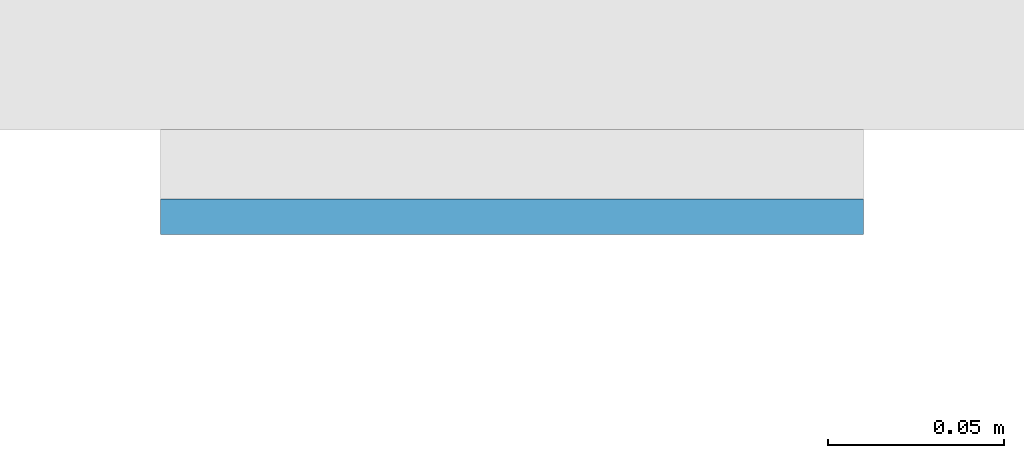
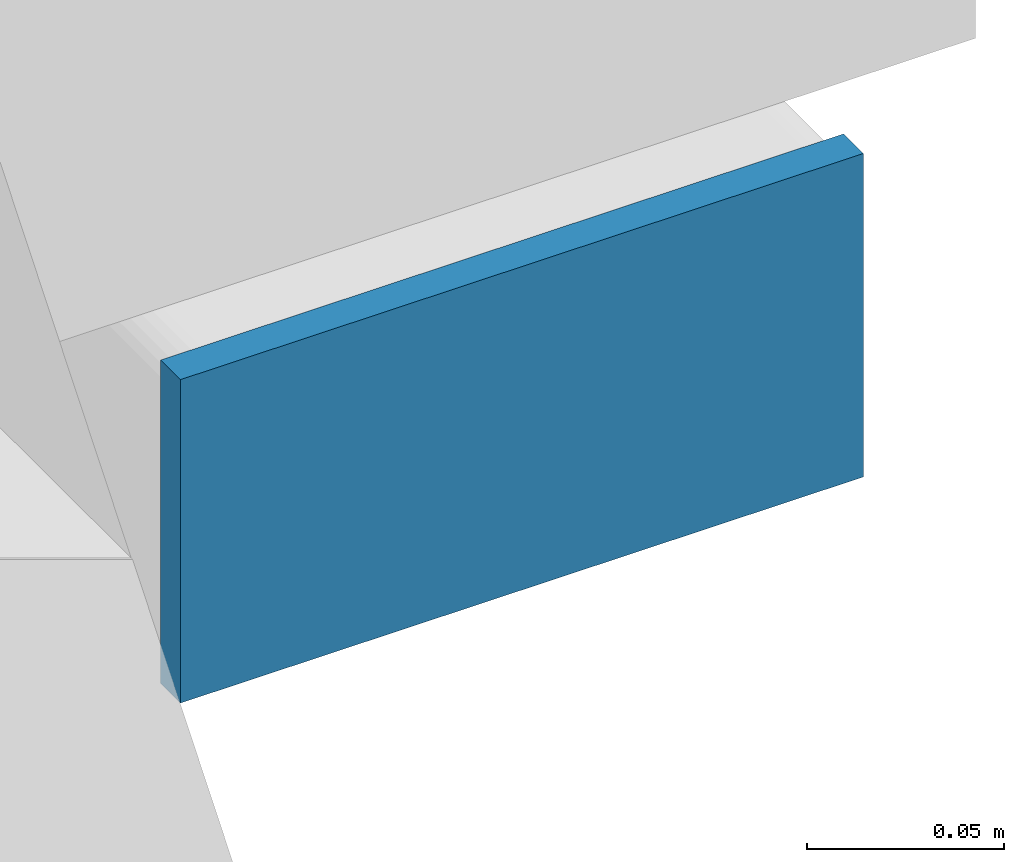
# One storey, part 10 of 20: 1 plate.
"""IFC4 building model written with IfcOpenShell, lengths in metres."""

from ifc_helpers import new_model, si_unit, direction, frame, origin, origin_2d, place, context, subcontext, project, spatial, rectangle, extrude, material, layer, layer_set, type_object, element, save


model = new_model("IFC4")

# Units and contexts
model_context = context("Model", 3, precision=1e-05, world=origin(), true_north=direction((0.0, 1.0)))
body_context = subcontext(model_context, "Body", "Model", "MODEL_VIEW")
ifc_project = project(units=[si_unit("LENGTHUNIT", "METRE"), si_unit("AREAUNIT", "SQUARE_METRE"), si_unit("VOLUMEUNIT", "CUBIC_METRE"), si_unit("PLANEANGLEUNIT", "RADIAN"), si_unit("MASSUNIT", "GRAM", prefix="KILO")], contexts=[model_context])

# Site, building, storey
site_placement = place(None, origin())
site = spatial("IfcSite", under=ifc_project, at=site_placement, CompositionType="ELEMENT")
building_placement = place(site_placement, origin())
building = spatial("IfcBuilding", under=site, at=building_placement, Name="Cleftline Residences", CompositionType="ELEMENT")
storey_placement = place(building_placement, frame((0.0, 0.0, 168.199951171875)))
storey = spatial("IfcBuildingStorey", under=building, at=storey_placement, Name="L44", CompositionType="ELEMENT", Elevation=168.199951171875)

# Plate
ifc_material = material(Name="Steel S355, hot-dip galvanised", Category="steel")
ifc_layer = layer(ifc_material, 0.010009765625)
ifc_layer_set = layer_set([ifc_layer], Name="BAGUETTE CARRIER END PLATE 200X100X10")
plate_type = type_object("IfcPlateType", Name="BAGUETTE CARRIER END PLATE 200X100X10", PredefinedType="USERDEFINED", material=ifc_layer_set)
plate_placement = place(storey_placement, frame((66.85009765625, 3.695068359375, -0.10009765625), z_axis=(0.0, 0.0, 1.0), x_axis=(1.0, 0.0, 0.0)))
element("IfcPlate", 1, at=plate_placement, inside=storey, type_object=plate_type, Name="Baguette carrier end plate", ObjectType="BAGUETTE CARRIER END PLATE", PredefinedType="USERDEFINED", context=body_context, shape_type="SweptSolid", body=[
    extrude(rectangle(XDim=0.199951171875, YDim=0.010009765625, at=origin_2d()), origin(), (0.0, 0.0, 1.0), 0.10009765625),
])

save(model, "model.ifc")
